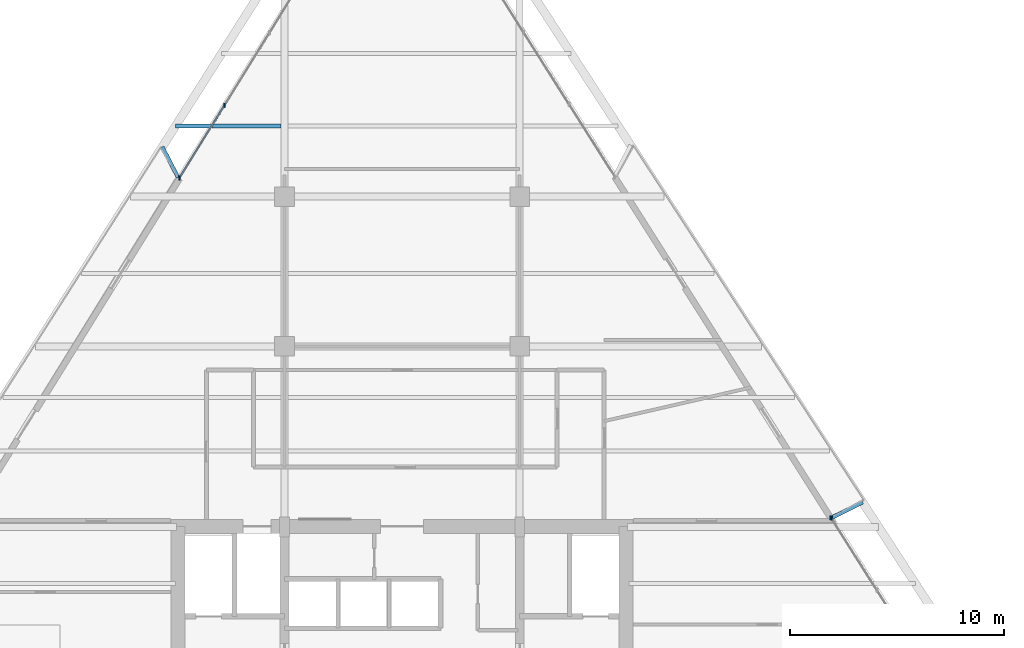
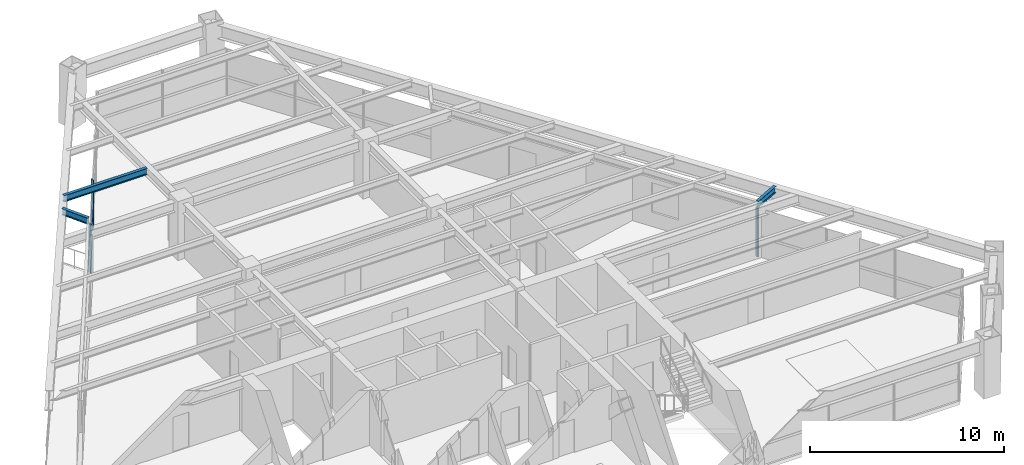
# One storey, part 8 of 15: 6 members, 3 beams, 2 elements without a shape of their own.
"""IFC4 building model written with IfcOpenShell, lengths in metres."""

from ifc_helpers import new_model, si_unit, direction, frame, origin, origin_2d, place, context, subcontext, project, spatial, rectangle, i_section, extrude, source, transform, mapped, material, material_profile, profile_set, type_object, element, aggregate, save


model = new_model("IFC4")

# Units and contexts
model_context = context("Model", 3, precision=1e-05, world=origin(), true_north=direction((0.0, 1.0)))
body_context = subcontext(model_context, "Body", "Model", "MODEL_VIEW")
ifc_project = project(units=[si_unit("LENGTHUNIT", "METRE"), si_unit("AREAUNIT", "SQUARE_METRE"), si_unit("VOLUMEUNIT", "CUBIC_METRE"), si_unit("PLANEANGLEUNIT", "RADIAN"), si_unit("MASSUNIT", "GRAM", prefix="KILO")], contexts=[model_context])

# Site, building, storey
site_placement = place(None, origin())
site = spatial("IfcSite", under=ifc_project, at=site_placement, CompositionType="ELEMENT")
building_placement = place(site_placement, origin())
building = spatial("IfcBuilding", under=site, at=building_placement, Name="Varnakhor Terracotta Tower", CompositionType="ELEMENT")
storey_placement = place(building_placement, frame((0.0, 0.0, 185.800048828125)))
storey = spatial("IfcBuildingStorey", under=building, at=storey_placement, Name="L47", CompositionType="ELEMENT", Elevation=185.800048828125)

# Beams
ifc_material_1 = material(Name="Steel S355", Category="steel")
ifc_material_profile_1 = material_profile(ifc_material_1, i_section(OverallWidth=0.179931640625, OverallDepth=0.4130859375, WebThickness=0.009765625, FlangeThickness=0.01611328125, FilletRadius=0.01806640625, at=origin_2d()), Name="W16X50")
ifc_profile_set_1 = profile_set([ifc_material_profile_1], Name="Steel S355")
beam_type_1 = type_object("IfcBeamType", Name="JST-W16X50", PredefinedType="JOIST", material=ifc_profile_set_1)
shared_shape_1 = source(origin(), body_context, "Body", "SweptSolid", [
    extrude(i_section(OverallWidth=0.179931640625, OverallDepth=0.4130859375, WebThickness=0.009765625, FlangeThickness=0.01611328125, FilletRadius=0.01806640625, at=origin_2d()), origin(), (0.0, 0.0, 1.0), 4.939208984375),
])
beam_1_placement = place(storey_placement, frame((-10.59765625, 34.800048828125, 3.263427734375), z_axis=(1.0, 0.0, 0.0), x_axis=(0.0, 1.0, 0.0)))
element("IfcBeam", 1, at=beam_1_placement, inside=storey, type_object=beam_type_1, Name="L47 Composite Floor Joist 7-1", PredefinedType="JOIST", context=body_context, shape_type="MappedRepresentation", body=[
    mapped(shared_shape_1, transform((0.0, 0.0, 0.0), scale=1.0)),
])
ifc_material_profile_2 = material_profile(ifc_material_1, i_section(OverallWidth=0.179931640625, OverallDepth=0.39990234375, WebThickness=0.008544921875, FlangeThickness=0.013427734375, FilletRadius=0.01806640625, at=origin_2d()), Name="IPE400")
ifc_profile_set_2 = profile_set([ifc_material_profile_2], Name="Steel S355")
beam_type_2 = type_object("IfcBeamType", Name="JST-IPE400", PredefinedType="JOIST", material=ifc_profile_set_2)
shared_shape_2 = source(origin(), body_context, "Body", "SweptSolid", [
    extrude(i_section(OverallWidth=0.179931640625, OverallDepth=0.39990234375, WebThickness=0.008544921875, FlangeThickness=0.013427734375, FilletRadius=0.01806640625, at=origin_2d()), origin(), (0.0, 0.0, 1.0), 1.60791015625),
])
beam_2_placement = place(storey_placement, frame((-10.47705078125, 32.3994140625, 3.27001953125), z_axis=(-0.459137891041, 0.888365013387, 0.0), x_axis=(-0.888365013387, -0.459137891041, 0.0)))
element("IfcBeam", 2, at=beam_2_placement, inside=storey, type_object=beam_type_2, Name="L48 W Loggia Tie Beam 2", PredefinedType="JOIST", context=body_context, shape_type="MappedRepresentation", body=[
    mapped(shared_shape_2, transform((0.0, 0.0, 0.0), scale=1.0)),
])

# Curtain wall, members
ifc_material_2 = material(Name="Anodised Aluminium Curtain Wall System", Category="aluminium")
curtain_wall_type = type_object("IfcCurtainWallType", Name="CW-SYS-MID-OFFICE", PredefinedType="NOTDEFINED", material=ifc_material_2)
curtain_wall_1_placement = place(storey_placement, origin())
curtain_wall_1 = element("IfcCurtainWall", 3, at=curtain_wall_1_placement, inside=storey, type_object=curtain_wall_type, Name="L47 W Facet Curtain Wall 2", PredefinedType="NOTDEFINED")
ifc_material_3 = material(Name="Anodised Aluminium 6063-T6", Category="aluminium")
ifc_material_profile_3 = material_profile(ifc_material_3, rectangle(XDim=0.070068359375, YDim=0.175048828125, at=origin_2d()), Name="ALU MULLION 70x175")
ifc_profile_set_3 = profile_set([ifc_material_profile_3], Name="Anodised Aluminium 6063-T6")
member_type_1 = type_object("IfcMemberType", Name="CWM-03", PredefinedType="MULLION", material=ifc_profile_set_3)
shared_shape_3 = source(origin(), body_context, "Body", "SweptSolid", [
    extrude(rectangle(XDim=0.070068359375, YDim=0.175048828125, at=origin_2d()), origin(), (0.0, 0.0, 1.0), 3.050048828125),
])
member_1_placement = place(storey_placement, frame((-10.404296875, 32.384521484375, 0.0), z_axis=(0.0, 0.0, 1.0), x_axis=(1.0, 0.0, 0.0)))
member_1 = element("IfcMember", 4, at=member_1_placement, type_object=member_type_1, Name="L47 W Facet Curtain Wall 2 Mullion 1", PredefinedType="MULLION", context=body_context, shape_type="MappedRepresentation", body=[
    mapped(shared_shape_3, transform((0.0, 0.0, 0.0), scale=1.0)),
])
member_2_placement = place(storey_placement, frame((-8.2998046875, 35.774658203125, 0.0), z_axis=(0.0, 0.0, 1.0), x_axis=(1.0, 0.0, 0.0)))
member_2 = element("IfcMember", 5, at=member_2_placement, type_object=member_type_1, Name="L47 W Facet Curtain Wall 2 Mullion 2", PredefinedType="MULLION", context=body_context, shape_type="MappedRepresentation", body=[
    mapped(shared_shape_3, transform((0.0, 0.0, 0.0), scale=1.0)),
])
member_3_placement = place(storey_placement, frame((-10.403076171875, 32.348388671875, 0.0), z_axis=(0.0, 0.0, 1.0), x_axis=(1.0, 0.0, 0.0)))
member_3 = element("IfcMember", 6, at=member_3_placement, type_object=member_type_1, Name="L47 W Loggia Jamb Closure Mullion 2", PredefinedType="MULLION", context=body_context, shape_type="MappedRepresentation", body=[
    mapped(shared_shape_3, transform((0.0, 0.0, 0.0), scale=1.0)),
])

curtain_wall_2_placement = place(storey_placement, origin())
curtain_wall_2 = element("IfcCurtainWall", 7, at=curtain_wall_2_placement, inside=storey, type_object=curtain_wall_type, Name="L47 E Facet Curtain Wall 2", PredefinedType="NOTDEFINED")
member_4_placement = place(storey_placement, frame((20.076416015625, 16.4619140625, 0.0), z_axis=(0.0, 0.0, 1.0), x_axis=(1.0, 0.0, 0.0)))
member_4 = element("IfcMember", 8, at=member_4_placement, type_object=member_type_1, Name="L47 E Facet Curtain Wall 2 Mullion 1", PredefinedType="MULLION", context=body_context, shape_type="MappedRepresentation", body=[
    mapped(shared_shape_3, transform((0.0, 0.0, 0.0), scale=1.0)),
])
member_5_placement = place(storey_placement, frame((20.04345703125, 16.4765625, 0.0), z_axis=(0.0, 0.0, 1.0), x_axis=(1.0, 0.0, 0.0)))
member_5 = element("IfcMember", 9, at=member_5_placement, type_object=member_type_1, Name="L47 E Loggia Jamb Closure Mullion 2", PredefinedType="MULLION", context=body_context, shape_type="MappedRepresentation", body=[
    mapped(shared_shape_3, transform((0.0, 0.0, 0.0), scale=1.0)),
])
aggregate(curtain_wall_2, [member_4, member_5])

# Beam
shared_shape_4 = source(origin(), body_context, "Body", "SweptSolid", [
    extrude(i_section(OverallWidth=0.179931640625, OverallDepth=0.39990234375, WebThickness=0.008544921875, FlangeThickness=0.013427734375, FilletRadius=0.01806640625, at=origin_2d()), origin(), (0.0, 0.0, 1.0), 1.627685546875),
])
beam_3_placement = place(storey_placement, frame((20.07763671875, 16.4794921875, 3.27001953125), z_axis=(0.894846771623, 0.446373448265, 0.0), x_axis=(-0.446373448265, 0.894846771623, 0.0)))
element("IfcBeam", 10, at=beam_3_placement, inside=storey, type_object=beam_type_2, Name="L48 E Loggia Tie Beam 2", PredefinedType="JOIST", context=body_context, shape_type="MappedRepresentation", body=[
    mapped(shared_shape_4, transform((0.0, 0.0, 0.0), scale=1.0)),
])

# Member
ifc_material_profile_4 = material_profile(ifc_material_3, rectangle(XDim=0.070068359375, YDim=0.155029296875, at=origin_2d()), Name="ALU TRANSOM 70x155")
ifc_profile_set_4 = profile_set([ifc_material_profile_4], Name="Anodised Aluminium 6063-T6")
member_type_2 = type_object("IfcMemberType", Name="CWT-03", PredefinedType="USERDEFINED", material=ifc_profile_set_4)
shared_shape_5 = source(origin(), body_context, "Body", "SweptSolid", [
    extrude(rectangle(XDim=0.070068359375, YDim=0.155029296875, at=origin_2d()), origin(), (0.0, 0.0, 1.0), 3.990234375),
])
member_6_placement = place(storey_placement, frame((-10.404296875, 32.384521484375, 1.281005859375), z_axis=(0.527411598547, 0.849609913854, 0.0), x_axis=(-0.849609913854, 0.527411598547, 0.0)))
member_6 = element("IfcMember", 11, at=member_6_placement, type_object=member_type_2, Name="L47 W Facet Curtain Wall 2 Transom 1", ObjectType="TRANSOM", PredefinedType="USERDEFINED", context=body_context, shape_type="MappedRepresentation", body=[
    mapped(shared_shape_5, transform((0.0, 0.0, 0.0), scale=1.0)),
])

aggregate(curtain_wall_1, [member_1, member_6, member_2, member_3])

save(model, "model.ifc")
